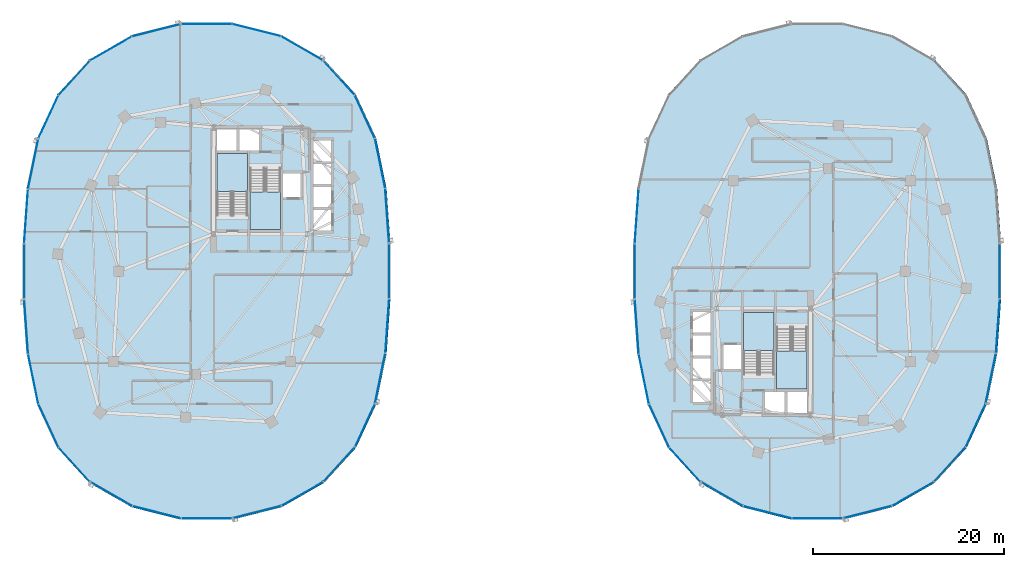
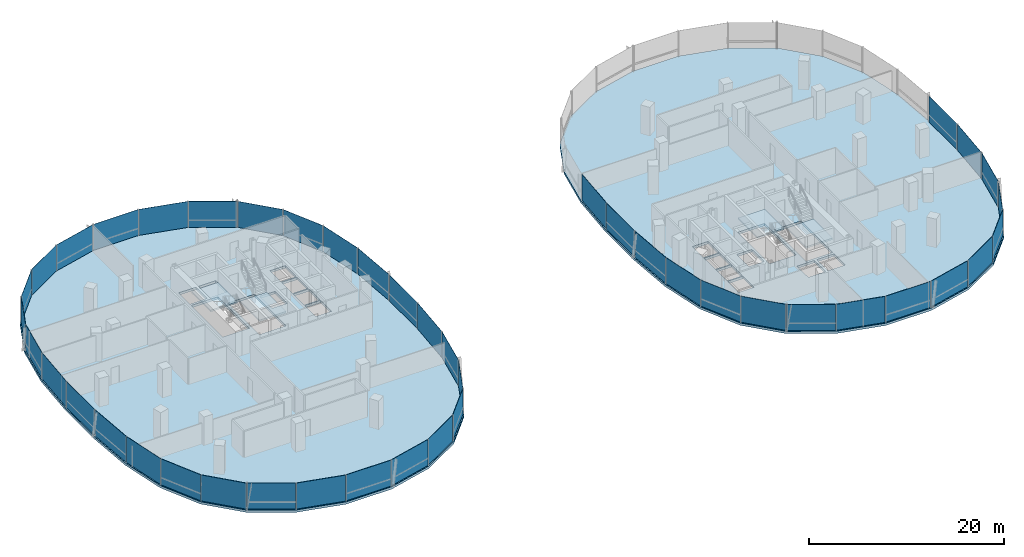
# One storey, part 9 of 21: 44 plates, 6 slabs, 11 elements without a shape of their own.
"""IFC4 building model written with IfcOpenShell, lengths in metres."""

from ifc_helpers import new_model, si_unit, direction, frame, origin, origin_2d, place, context, subcontext, project, spatial, polyline, rectangle, outline, extrude, material, layer, layer_set, type_object, element, aggregate, save


model = new_model("IFC4")

# Units and contexts
model_context = context("Model", 3, precision=1e-05, world=origin(), true_north=direction((0.0, 1.0)))
body_context = subcontext(model_context, "Body", "Model", "MODEL_VIEW")
ifc_project = project(units=[si_unit("LENGTHUNIT", "METRE"), si_unit("AREAUNIT", "SQUARE_METRE"), si_unit("VOLUMEUNIT", "CUBIC_METRE"), si_unit("PLANEANGLEUNIT", "RADIAN"), si_unit("MASSUNIT", "GRAM", prefix="KILO"), si_unit("THERMODYNAMICTEMPERATUREUNIT", "KELVIN"), si_unit("POWERUNIT", "WATT")], contexts=[model_context])

# Site, building, storey
site_placement = place(None, origin())
site = spatial("IfcSite", under=ifc_project, at=site_placement, CompositionType="ELEMENT")
building_placement = place(site_placement, origin())
building = spatial("IfcBuilding", under=site, at=building_placement, Name="Cundina Bronze Exchange", CompositionType="ELEMENT")
storey_placement = place(building_placement, frame((0.0, 0.0, 107.0)))
storey = spatial("IfcBuildingStorey", under=building, at=storey_placement, Name="L27", CompositionType="ELEMENT", Elevation=107.0)

# Curtain wall, plates
ifc_material_1 = material(Name="Anodised Bronze Aluminium 6063-T6", Category="aluminium")
curtain_wall_type = type_object("IfcCurtainWallType", Name="CWS-TRD-MID", PredefinedType="NOTDEFINED", material=ifc_material_1)
curtain_wall_1_placement = place(storey_placement, origin())
curtain_wall_1 = element("IfcCurtainWall", 1, at=curtain_wall_1_placement, inside=storey, type_object=curtain_wall_type, Name="L27 CW-03 Curtain Wall Run CWR-L27-W1", PredefinedType="NOTDEFINED")
ifc_material_2 = material(Name="Heat-Strengthened Solar-Control Bronze Safety Glass 28mm", Category="glass")
ifc_layer_1 = layer(ifc_material_2, 0.028076171875, Name="Heat-Strengthened Solar-Control Bronze Safety Glass 28mm", Category="glass")
ifc_layer_set_1 = layer_set([ifc_layer_1], Name="Heat-Strengthened Solar-Control Bronze Safety Glass 28mm")
plate_type_1 = type_object("IfcPlateType", Name="PLT-GLZ-VIS28", PredefinedType="CURTAIN_PANEL", material=ifc_layer_set_1)
plate_1_placement = place(storey_placement, frame((-13.0732421875, 5.783935546875, 0.02001953125), z_axis=(0.0, 0.0, 1.0), x_axis=(-0.070278787473, 0.997527389113, 0.0)))
plate_1 = element("IfcPlate", 2, at=plate_1_placement, type_object=plate_type_1, Name="CW-03 Glazed Panel 1", PredefinedType="CURTAIN_PANEL", context=body_context, shape_type="SweptSolid", body=[
    extrude(rectangle(XDim=5.644287109375, YDim=0.028076171875, at=origin_2d()), origin(), (0.0, 0.0, 1.0), 3.260009765625),
])
plate_2_placement = place(storey_placement, frame((-13.81591796875, 11.269775390625, 0.02001953125), z_axis=(0.0, 0.0, 1.0), x_axis=(-0.201419845156, 0.979505000486, 0.0)))
plate_2 = element("IfcPlate", 3, at=plate_2_placement, type_object=plate_type_1, Name="CW-03 Glazed Panel 2", PredefinedType="CURTAIN_PANEL", context=body_context, shape_type="SweptSolid", body=[
    extrude(rectangle(XDim=5.306640625, YDim=0.028076171875, at=origin_2d()), origin(), (0.0, 0.0, 1.0), 3.260009765625),
])
plate_3_placement = place(storey_placement, frame((-18.1259765625, 20.267333984375, 0.02001953125), z_axis=(0.0, 0.0, 1.0), x_axis=(-0.674276610219, 0.73847887777, 0.0)))
plate_3 = element("IfcPlate", 4, at=plate_3_placement, type_object=plate_type_1, Name="CW-03 Glazed Panel 4", PredefinedType="CURTAIN_PANEL", context=body_context, shape_type="SweptSolid", body=[
    extrude(rectangle(XDim=4.86328125, YDim=0.028076171875, at=origin_2d()), origin(), (0.0, 0.0, 1.0), 3.260009765625),
])
plate_4_placement = place(storey_placement, frame((-21.980712890625, 23.34423828125, 0.02001953125), z_axis=(0.0, 0.0, 1.0), x_axis=(-0.867105478933, 0.498124571171, 0.0)))
plate_4 = element("IfcPlate", 5, at=plate_4_placement, type_object=plate_type_1, Name="CW-03 Glazed Panel 5", PredefinedType="CURTAIN_PANEL", context=body_context, shape_type="SweptSolid", body=[
    extrude(rectangle(XDim=5.021240234375, YDim=0.028076171875, at=origin_2d()), origin(), (0.0, 0.0, 1.0), 3.260009765625),
])
plate_5_placement = place(storey_placement, frame((-26.744384765625, 25.256591796875, 0.02001953125), z_axis=(0.0, 0.0, 1.0), x_axis=(-0.969488149345, 0.245138182011, 0.0)))
plate_5 = element("IfcPlate", 6, at=plate_5_placement, type_object=plate_type_1, Name="CW-03 Glazed Panel 6", PredefinedType="CURTAIN_PANEL", context=body_context, shape_type="SweptSolid", body=[
    extrude(rectangle(XDim=5.2333984375, YDim=0.028076171875, at=origin_2d()), origin(), (0.0, 0.0, 1.0), 3.260009765625),
])
plate_6_placement = place(storey_placement, frame((-32.0, 25.905029296875, 0.02001953125), z_axis=(0.0, 0.0, 1.0), x_axis=(-1.0, 0.0, 0.0)))
plate_6 = element("IfcPlate", 7, at=plate_6_placement, type_object=plate_type_1, Name="CW-03 Glazed Panel 7", PredefinedType="CURTAIN_PANEL", context=body_context, shape_type="SweptSolid", body=[
    extrude(rectangle(XDim=5.323974609375, YDim=0.028076171875, at=origin_2d()), origin(), (0.0, 0.0, 1.0), 3.260009765625),
])

curtain_wall_2_placement = place(storey_placement, origin())
curtain_wall_2 = element("IfcCurtainWall", 8, at=curtain_wall_2_placement, inside=storey, type_object=curtain_wall_type, Name="L27 CW-03 Curtain Wall Run CWR-L27-W2", PredefinedType="NOTDEFINED")
plate_7_placement = place(storey_placement, frame((-37.255615234375, 25.256591796875, 0.02001953125), z_axis=(0.0, 0.0, 1.0), x_axis=(-0.969488149345, -0.245138182011, 0.0)))
plate_7 = element("IfcPlate", 9, at=plate_7_placement, type_object=plate_type_1, Name="CW-03 Glazed Panel 1", PredefinedType="CURTAIN_PANEL", context=body_context, shape_type="SweptSolid", body=[
    extrude(rectangle(XDim=5.2333984375, YDim=0.028076171875, at=origin_2d()), origin(), (0.0, 0.0, 1.0), 3.260009765625),
])
plate_8_placement = place(storey_placement, frame((-45.8740234375, 20.267333984375, 0.02001953125), z_axis=(0.0, 0.0, 1.0), x_axis=(-0.674276610219, -0.73847887777, 0.0)))
plate_8 = element("IfcPlate", 10, at=plate_8_placement, type_object=plate_type_1, Name="CW-03 Glazed Panel 3", PredefinedType="CURTAIN_PANEL", context=body_context, shape_type="SweptSolid", body=[
    extrude(rectangle(XDim=4.86328125, YDim=0.028076171875, at=origin_2d()), origin(), (0.0, 0.0, 1.0), 3.260009765625),
])
plate_9_placement = place(storey_placement, frame((-48.586181640625, 16.177734375, 0.02001953125), z_axis=(0.0, 0.0, 1.0), x_axis=(-0.42084583328, -0.907132175932, 0.0)))
plate_9 = element("IfcPlate", 11, at=plate_9_placement, type_object=plate_type_1, Name="CW-03 Glazed Panel 4", PredefinedType="CURTAIN_PANEL", context=body_context, shape_type="SweptSolid", body=[
    extrude(rectangle(XDim=4.966552734375, YDim=0.028076171875, at=origin_2d()), origin(), (0.0, 0.0, 1.0), 3.260009765625),
])
plate_10_placement = place(storey_placement, frame((-50.18408203125, 11.269775390625, 0.02001953125), z_axis=(0.0, 0.0, 1.0), x_axis=(-0.201419845156, -0.979505000486, 0.0)))
plate_10 = element("IfcPlate", 12, at=plate_10_placement, type_object=plate_type_1, Name="CW-03 Glazed Panel 5", PredefinedType="CURTAIN_PANEL", context=body_context, shape_type="SweptSolid", body=[
    extrude(rectangle(XDim=5.306640625, YDim=0.028076171875, at=origin_2d()), origin(), (0.0, 0.0, 1.0), 3.260009765625),
])
plate_11_placement = place(storey_placement, frame((-50.9267578125, 5.783935546875, 0.02001953125), z_axis=(0.0, 0.0, 1.0), x_axis=(-0.070278787473, -0.997527389113, 0.0)))
plate_11 = element("IfcPlate", 13, at=plate_11_placement, type_object=plate_type_1, Name="CW-03 Glazed Panel 6", PredefinedType="CURTAIN_PANEL", context=body_context, shape_type="SweptSolid", body=[
    extrude(rectangle(XDim=5.644287109375, YDim=0.028076171875, at=origin_2d()), origin(), (0.0, 0.0, 1.0), 3.260009765625),
])

curtain_wall_3_placement = place(storey_placement, origin())
curtain_wall_3 = element("IfcCurtainWall", 14, at=curtain_wall_3_placement, inside=storey, type_object=curtain_wall_type, Name="L27 CW-03 Curtain Wall Run CWR-L27-W3", PredefinedType="NOTDEFINED")
plate_12_placement = place(storey_placement, frame((-50.18408203125, -11.269775390625, 0.02001953125), z_axis=(0.0, 0.0, 1.0), x_axis=(0.201419845156, -0.979505000486, 0.0)))
plate_12 = element("IfcPlate", 15, at=plate_12_placement, type_object=plate_type_1, Name="CW-03 Glazed Panel 2", PredefinedType="CURTAIN_PANEL", context=body_context, shape_type="SweptSolid", body=[
    extrude(rectangle(XDim=5.306640625, YDim=0.028076171875, at=origin_2d()), origin(), (0.0, 0.0, 1.0), 3.260009765625),
])
plate_13_placement = place(storey_placement, frame((-48.586181640625, -16.177734375, 0.02001953125), z_axis=(0.0, 0.0, 1.0), x_axis=(0.42084583328, -0.907132175932, 0.0)))
plate_13 = element("IfcPlate", 16, at=plate_13_placement, type_object=plate_type_1, Name="CW-03 Glazed Panel 3", PredefinedType="CURTAIN_PANEL", context=body_context, shape_type="SweptSolid", body=[
    extrude(rectangle(XDim=4.966552734375, YDim=0.028076171875, at=origin_2d()), origin(), (0.0, 0.0, 1.0), 3.260009765625),
])
plate_14_placement = place(storey_placement, frame((-45.8740234375, -20.267333984375, 0.02001953125), z_axis=(0.0, 0.0, 1.0), x_axis=(0.674276610219, -0.73847887777, 0.0)))
plate_14 = element("IfcPlate", 17, at=plate_14_placement, type_object=plate_type_1, Name="CW-03 Glazed Panel 4", PredefinedType="CURTAIN_PANEL", context=body_context, shape_type="SweptSolid", body=[
    extrude(rectangle(XDim=4.86328125, YDim=0.028076171875, at=origin_2d()), origin(), (0.0, 0.0, 1.0), 3.260009765625),
])
plate_15_placement = place(storey_placement, frame((-42.019287109375, -23.34423828125, 0.02001953125), z_axis=(0.0, 0.0, 1.0), x_axis=(0.867105478933, -0.498124571171, 0.0)))
plate_15 = element("IfcPlate", 18, at=plate_15_placement, type_object=plate_type_1, Name="CW-03 Glazed Panel 5", PredefinedType="CURTAIN_PANEL", context=body_context, shape_type="SweptSolid", body=[
    extrude(rectangle(XDim=5.021240234375, YDim=0.028076171875, at=origin_2d()), origin(), (0.0, 0.0, 1.0), 3.260009765625),
])
plate_16_placement = place(storey_placement, frame((-32.0, -25.905029296875, 0.02001953125), z_axis=(0.0, 0.0, 1.0), x_axis=(1.0, 0.0, 0.0)))
plate_16 = element("IfcPlate", 19, at=plate_16_placement, type_object=plate_type_1, Name="CW-03 Glazed Panel 7", PredefinedType="CURTAIN_PANEL", context=body_context, shape_type="SweptSolid", body=[
    extrude(rectangle(XDim=5.323974609375, YDim=0.028076171875, at=origin_2d()), origin(), (0.0, 0.0, 1.0), 3.260009765625),
])

curtain_wall_4_placement = place(storey_placement, origin())
curtain_wall_4 = element("IfcCurtainWall", 20, at=curtain_wall_4_placement, inside=storey, type_object=curtain_wall_type, Name="L27 CW-03 Curtain Wall Run CWR-L27-W4", PredefinedType="NOTDEFINED")
plate_17_placement = place(storey_placement, frame((-26.744384765625, -25.256591796875, 0.02001953125), z_axis=(0.0, 0.0, 1.0), x_axis=(0.969488149345, 0.245138182011, 0.0)))
plate_17 = element("IfcPlate", 21, at=plate_17_placement, type_object=plate_type_1, Name="CW-03 Glazed Panel 1", PredefinedType="CURTAIN_PANEL", context=body_context, shape_type="SweptSolid", body=[
    extrude(rectangle(XDim=5.2333984375, YDim=0.028076171875, at=origin_2d()), origin(), (0.0, 0.0, 1.0), 3.260009765625),
])
plate_18_placement = place(storey_placement, frame((-21.980712890625, -23.34423828125, 0.02001953125), z_axis=(0.0, 0.0, 1.0), x_axis=(0.867105478933, 0.498124571171, 0.0)))
plate_18 = element("IfcPlate", 22, at=plate_18_placement, type_object=plate_type_1, Name="CW-03 Glazed Panel 2", PredefinedType="CURTAIN_PANEL", context=body_context, shape_type="SweptSolid", body=[
    extrude(rectangle(XDim=5.021240234375, YDim=0.028076171875, at=origin_2d()), origin(), (0.0, 0.0, 1.0), 3.260009765625),
])
plate_19_placement = place(storey_placement, frame((-18.1259765625, -20.267333984375, 0.02001953125), z_axis=(0.0, 0.0, 1.0), x_axis=(0.674276610219, 0.73847887777, 0.0)))
plate_19 = element("IfcPlate", 23, at=plate_19_placement, type_object=plate_type_1, Name="CW-03 Glazed Panel 3", PredefinedType="CURTAIN_PANEL", context=body_context, shape_type="SweptSolid", body=[
    extrude(rectangle(XDim=4.86328125, YDim=0.028076171875, at=origin_2d()), origin(), (0.0, 0.0, 1.0), 3.260009765625),
])
plate_20_placement = place(storey_placement, frame((-15.413818359375, -16.177734375, 0.02001953125), z_axis=(0.0, 0.0, 1.0), x_axis=(0.42084583328, 0.907132175932, 0.0)))
plate_20 = element("IfcPlate", 24, at=plate_20_placement, type_object=plate_type_1, Name="CW-03 Glazed Panel 4", PredefinedType="CURTAIN_PANEL", context=body_context, shape_type="SweptSolid", body=[
    extrude(rectangle(XDim=4.966552734375, YDim=0.028076171875, at=origin_2d()), origin(), (0.0, 0.0, 1.0), 3.260009765625),
])
plate_21_placement = place(storey_placement, frame((-13.0732421875, -5.783935546875, 0.02001953125), z_axis=(0.0, 0.0, 1.0), x_axis=(0.070278787473, 0.997527389113, 0.0)))
plate_21 = element("IfcPlate", 25, at=plate_21_placement, type_object=plate_type_1, Name="CW-03 Glazed Panel 6", PredefinedType="CURTAIN_PANEL", context=body_context, shape_type="SweptSolid", body=[
    extrude(rectangle(XDim=5.644287109375, YDim=0.028076171875, at=origin_2d()), origin(), (0.0, 0.0, 1.0), 3.260009765625),
])
plate_22_placement = place(storey_placement, frame((-12.8720703125, 0.0, 0.02001953125), z_axis=(0.0, 0.0, 1.0), x_axis=(0.0, 1.0, 0.0)))
plate_22 = element("IfcPlate", 26, at=plate_22_placement, type_object=plate_type_1, Name="CW-03 Glazed Panel 7", PredefinedType="CURTAIN_PANEL", context=body_context, shape_type="SweptSolid", body=[
    extrude(rectangle(XDim=5.77587890625, YDim=0.028076171875, at=origin_2d()), origin(), (0.0, 0.0, 1.0), 3.260009765625),
])

# Curtain wall, plate
curtain_wall_5_placement = place(storey_placement, origin())
curtain_wall_5 = element("IfcCurtainWall", 27, at=curtain_wall_5_placement, inside=storey, type_object=curtain_wall_type, Name="L27 CW-03 Curtain Wall Run CWR-L27-E2", PredefinedType="NOTDEFINED")
plate_23_placement = place(storey_placement, frame((13.0732421875, 5.783935546875, 0.02001953125), z_axis=(0.0, 0.0, 1.0), x_axis=(-0.070278787473, -0.997527389113, 0.0)))
plate_23 = element("IfcPlate", 28, at=plate_23_placement, type_object=plate_type_1, Name="CW-03 Glazed Panel 6", PredefinedType="CURTAIN_PANEL", context=body_context, shape_type="SweptSolid", body=[
    extrude(rectangle(XDim=5.644287109375, YDim=0.028076171875, at=origin_2d()), origin(), (0.0, 0.0, 1.0), 3.260009765625),
])

# Curtain wall, plates
curtain_wall_6_placement = place(storey_placement, origin())
curtain_wall_6 = element("IfcCurtainWall", 29, at=curtain_wall_6_placement, inside=storey, type_object=curtain_wall_type, Name="L27 CW-03 Curtain Wall Run CWR-L27-E3", PredefinedType="NOTDEFINED")
plate_24_placement = place(storey_placement, frame((13.81591796875, -11.269775390625, 0.02001953125), z_axis=(0.0, 0.0, 1.0), x_axis=(0.201419845156, -0.979505000486, 0.0)))
plate_24 = element("IfcPlate", 30, at=plate_24_placement, type_object=plate_type_1, Name="CW-03 Glazed Panel 2", PredefinedType="CURTAIN_PANEL", context=body_context, shape_type="SweptSolid", body=[
    extrude(rectangle(XDim=5.306640625, YDim=0.028076171875, at=origin_2d()), origin(), (0.0, 0.0, 1.0), 3.260009765625),
])
plate_25_placement = place(storey_placement, frame((15.413818359375, -16.177734375, 0.02001953125), z_axis=(0.0, 0.0, 1.0), x_axis=(0.42084583328, -0.907132175932, 0.0)))
plate_25 = element("IfcPlate", 31, at=plate_25_placement, type_object=plate_type_1, Name="CW-03 Glazed Panel 3", PredefinedType="CURTAIN_PANEL", context=body_context, shape_type="SweptSolid", body=[
    extrude(rectangle(XDim=4.966552734375, YDim=0.028076171875, at=origin_2d()), origin(), (0.0, 0.0, 1.0), 3.260009765625),
])
plate_26_placement = place(storey_placement, frame((18.1259765625, -20.267333984375, 0.02001953125), z_axis=(0.0, 0.0, 1.0), x_axis=(0.674276610219, -0.73847887777, 0.0)))
plate_26 = element("IfcPlate", 32, at=plate_26_placement, type_object=plate_type_1, Name="CW-03 Glazed Panel 4", PredefinedType="CURTAIN_PANEL", context=body_context, shape_type="SweptSolid", body=[
    extrude(rectangle(XDim=4.86328125, YDim=0.028076171875, at=origin_2d()), origin(), (0.0, 0.0, 1.0), 3.260009765625),
])
plate_27_placement = place(storey_placement, frame((21.980712890625, -23.34423828125, 0.02001953125), z_axis=(0.0, 0.0, 1.0), x_axis=(0.867105478933, -0.498124571171, 0.0)))
plate_27 = element("IfcPlate", 33, at=plate_27_placement, type_object=plate_type_1, Name="CW-03 Glazed Panel 5", PredefinedType="CURTAIN_PANEL", context=body_context, shape_type="SweptSolid", body=[
    extrude(rectangle(XDim=5.021240234375, YDim=0.028076171875, at=origin_2d()), origin(), (0.0, 0.0, 1.0), 3.260009765625),
])
plate_28_placement = place(storey_placement, frame((32.0, -25.905029296875, 0.02001953125), z_axis=(0.0, 0.0, 1.0), x_axis=(1.0, 0.0, 0.0)))
plate_28 = element("IfcPlate", 34, at=plate_28_placement, type_object=plate_type_1, Name="CW-03 Glazed Panel 7", PredefinedType="CURTAIN_PANEL", context=body_context, shape_type="SweptSolid", body=[
    extrude(rectangle(XDim=5.323974609375, YDim=0.028076171875, at=origin_2d()), origin(), (0.0, 0.0, 1.0), 3.260009765625),
])

curtain_wall_7_placement = place(storey_placement, origin())
curtain_wall_7 = element("IfcCurtainWall", 35, at=curtain_wall_7_placement, inside=storey, type_object=curtain_wall_type, Name="L27 CW-03 Curtain Wall Run CWR-L27-E4", PredefinedType="NOTDEFINED")
plate_29_placement = place(storey_placement, frame((37.255615234375, -25.256591796875, 0.02001953125), z_axis=(0.0, 0.0, 1.0), x_axis=(0.969488149345, 0.245138182011, 0.0)))
plate_29 = element("IfcPlate", 36, at=plate_29_placement, type_object=plate_type_1, Name="CW-03 Glazed Panel 1", PredefinedType="CURTAIN_PANEL", context=body_context, shape_type="SweptSolid", body=[
    extrude(rectangle(XDim=5.2333984375, YDim=0.028076171875, at=origin_2d()), origin(), (0.0, 0.0, 1.0), 3.260009765625),
])
plate_30_placement = place(storey_placement, frame((42.019287109375, -23.34423828125, 0.02001953125), z_axis=(0.0, 0.0, 1.0), x_axis=(0.867105478933, 0.498124571171, 0.0)))
plate_30 = element("IfcPlate", 37, at=plate_30_placement, type_object=plate_type_1, Name="CW-03 Glazed Panel 2", PredefinedType="CURTAIN_PANEL", context=body_context, shape_type="SweptSolid", body=[
    extrude(rectangle(XDim=5.021240234375, YDim=0.028076171875, at=origin_2d()), origin(), (0.0, 0.0, 1.0), 3.260009765625),
])
plate_31_placement = place(storey_placement, frame((45.8740234375, -20.267333984375, 0.02001953125), z_axis=(0.0, 0.0, 1.0), x_axis=(0.674276610219, 0.73847887777, 0.0)))
plate_31 = element("IfcPlate", 38, at=plate_31_placement, type_object=plate_type_1, Name="CW-03 Glazed Panel 3", PredefinedType="CURTAIN_PANEL", context=body_context, shape_type="SweptSolid", body=[
    extrude(rectangle(XDim=4.86328125, YDim=0.028076171875, at=origin_2d()), origin(), (0.0, 0.0, 1.0), 3.260009765625),
])
plate_32_placement = place(storey_placement, frame((48.586181640625, -16.177734375, 0.02001953125), z_axis=(0.0, 0.0, 1.0), x_axis=(0.42084583328, 0.907132175932, 0.0)))
plate_32 = element("IfcPlate", 39, at=plate_32_placement, type_object=plate_type_1, Name="CW-03 Glazed Panel 4", PredefinedType="CURTAIN_PANEL", context=body_context, shape_type="SweptSolid", body=[
    extrude(rectangle(XDim=4.966552734375, YDim=0.028076171875, at=origin_2d()), origin(), (0.0, 0.0, 1.0), 3.260009765625),
])
plate_33_placement = place(storey_placement, frame((50.9267578125, -5.783935546875, 0.02001953125), z_axis=(0.0, 0.0, 1.0), x_axis=(0.070278787473, 0.997527389113, 0.0)))
plate_33 = element("IfcPlate", 40, at=plate_33_placement, type_object=plate_type_1, Name="CW-03 Glazed Panel 6", PredefinedType="CURTAIN_PANEL", context=body_context, shape_type="SweptSolid", body=[
    extrude(rectangle(XDim=5.644287109375, YDim=0.028076171875, at=origin_2d()), origin(), (0.0, 0.0, 1.0), 3.260009765625),
])
plate_34_placement = place(storey_placement, frame((51.1279296875, 0.0, 0.02001953125), z_axis=(0.0, 0.0, 1.0), x_axis=(0.0, 1.0, 0.0)))
plate_34 = element("IfcPlate", 41, at=plate_34_placement, type_object=plate_type_1, Name="CW-03 Glazed Panel 7", PredefinedType="CURTAIN_PANEL", context=body_context, shape_type="SweptSolid", body=[
    extrude(rectangle(XDim=5.77587890625, YDim=0.028076171875, at=origin_2d()), origin(), (0.0, 0.0, 1.0), 3.260009765625),
])

# Plate
ifc_material_3 = material(Name="Dark Bronze Spandrel Glass Panel 32mm", Category="glass")
ifc_layer_2 = layer(ifc_material_3, 0.031982421875, Name="Dark Bronze Spandrel Glass Panel 32mm", Category="glass")
ifc_layer_set_2 = layer_set([ifc_layer_2], Name="Dark Bronze Spandrel Glass Panel 32mm")
plate_type_2 = type_object("IfcPlateType", Name="PLT-SPN-BRZ32", PredefinedType="CURTAIN_PANEL", material=ifc_layer_set_2)
plate_35_placement = place(storey_placement, frame((-15.413818359375, 16.177734375, 0.02001953125), z_axis=(0.0, 0.0, 1.0), x_axis=(-0.42084583328, 0.907132175932, 0.0)))
plate_35 = element("IfcPlate", 42, at=plate_35_placement, type_object=plate_type_2, Name="CW-03 Glazed Panel 3", PredefinedType="CURTAIN_PANEL", context=body_context, shape_type="SweptSolid", body=[
    extrude(rectangle(XDim=4.966552734375, YDim=0.031982421875, at=origin_2d()), origin(), (0.0, 0.0, 1.0), 3.260009765625),
])

aggregate(curtain_wall_1, [plate_1, plate_2, plate_35, plate_3, plate_4, plate_5, plate_6])

plate_36_placement = place(storey_placement, frame((-42.019287109375, 23.34423828125, 0.02001953125), z_axis=(0.0, 0.0, 1.0), x_axis=(-0.867105478933, -0.498124571171, 0.0)))
plate_36 = element("IfcPlate", 43, at=plate_36_placement, type_object=plate_type_2, Name="CW-03 Glazed Panel 2", PredefinedType="CURTAIN_PANEL", context=body_context, shape_type="SweptSolid", body=[
    extrude(rectangle(XDim=5.021240234375, YDim=0.031982421875, at=origin_2d()), origin(), (0.0, 0.0, 1.0), 3.260009765625),
])

plate_37_placement = place(storey_placement, frame((-51.1279296875, 0.0, 0.02001953125), z_axis=(0.0, 0.0, 1.0), x_axis=(0.0, -1.0, 0.0)))
plate_37 = element("IfcPlate", 44, at=plate_37_placement, type_object=plate_type_2, Name="CW-03 Glazed Panel 7", PredefinedType="CURTAIN_PANEL", context=body_context, shape_type="SweptSolid", body=[
    extrude(rectangle(XDim=5.77587890625, YDim=0.031982421875, at=origin_2d()), origin(), (0.0, 0.0, 1.0), 3.260009765625),
])

aggregate(curtain_wall_2, [plate_7, plate_36, plate_8, plate_9, plate_10, plate_11, plate_37])

plate_38_placement = place(storey_placement, frame((-50.9267578125, -5.783935546875, 0.02001953125), z_axis=(0.0, 0.0, 1.0), x_axis=(0.070278787473, -0.997527389113, 0.0)))
plate_38 = element("IfcPlate", 45, at=plate_38_placement, type_object=plate_type_2, Name="CW-03 Glazed Panel 1", PredefinedType="CURTAIN_PANEL", context=body_context, shape_type="SweptSolid", body=[
    extrude(rectangle(XDim=5.644287109375, YDim=0.031982421875, at=origin_2d()), origin(), (0.0, 0.0, 1.0), 3.260009765625),
])

plate_39_placement = place(storey_placement, frame((-37.255615234375, -25.256591796875, 0.02001953125), z_axis=(0.0, 0.0, 1.0), x_axis=(0.969488149345, -0.245138182011, 0.0)))
plate_39 = element("IfcPlate", 46, at=plate_39_placement, type_object=plate_type_2, Name="CW-03 Glazed Panel 6", PredefinedType="CURTAIN_PANEL", context=body_context, shape_type="SweptSolid", body=[
    extrude(rectangle(XDim=5.2333984375, YDim=0.031982421875, at=origin_2d()), origin(), (0.0, 0.0, 1.0), 3.260009765625),
])

aggregate(curtain_wall_3, [plate_38, plate_12, plate_13, plate_14, plate_15, plate_39, plate_16])

plate_40_placement = place(storey_placement, frame((-13.81591796875, -11.269775390625, 0.02001953125), z_axis=(0.0, 0.0, 1.0), x_axis=(0.201419845156, 0.979505000486, 0.0)))
plate_40 = element("IfcPlate", 47, at=plate_40_placement, type_object=plate_type_2, Name="CW-03 Glazed Panel 5", PredefinedType="CURTAIN_PANEL", context=body_context, shape_type="SweptSolid", body=[
    extrude(rectangle(XDim=5.306640625, YDim=0.031982421875, at=origin_2d()), origin(), (0.0, 0.0, 1.0), 3.260009765625),
])

aggregate(curtain_wall_4, [plate_17, plate_18, plate_19, plate_20, plate_40, plate_21, plate_22])

plate_41_placement = place(storey_placement, frame((12.8720703125, 0.0, 0.02001953125), z_axis=(0.0, 0.0, 1.0), x_axis=(0.0, -1.0, 0.0)))
plate_41 = element("IfcPlate", 48, at=plate_41_placement, type_object=plate_type_2, Name="CW-03 Glazed Panel 7", PredefinedType="CURTAIN_PANEL", context=body_context, shape_type="SweptSolid", body=[
    extrude(rectangle(XDim=5.77587890625, YDim=0.031982421875, at=origin_2d()), origin(), (0.0, 0.0, 1.0), 3.260009765625),
])

aggregate(curtain_wall_5, [plate_23, plate_41])

plate_42_placement = place(storey_placement, frame((13.0732421875, -5.783935546875, 0.02001953125), z_axis=(0.0, 0.0, 1.0), x_axis=(0.070278787473, -0.997527389113, 0.0)))
plate_42 = element("IfcPlate", 49, at=plate_42_placement, type_object=plate_type_2, Name="CW-03 Glazed Panel 1", PredefinedType="CURTAIN_PANEL", context=body_context, shape_type="SweptSolid", body=[
    extrude(rectangle(XDim=5.644287109375, YDim=0.031982421875, at=origin_2d()), origin(), (0.0, 0.0, 1.0), 3.260009765625),
])

plate_43_placement = place(storey_placement, frame((26.744384765625, -25.256591796875, 0.02001953125), z_axis=(0.0, 0.0, 1.0), x_axis=(0.969488149345, -0.245138182011, 0.0)))
plate_43 = element("IfcPlate", 50, at=plate_43_placement, type_object=plate_type_2, Name="CW-03 Glazed Panel 6", PredefinedType="CURTAIN_PANEL", context=body_context, shape_type="SweptSolid", body=[
    extrude(rectangle(XDim=5.2333984375, YDim=0.031982421875, at=origin_2d()), origin(), (0.0, 0.0, 1.0), 3.260009765625),
])

aggregate(curtain_wall_6, [plate_42, plate_24, plate_25, plate_26, plate_27, plate_43, plate_28])

plate_44_placement = place(storey_placement, frame((50.18408203125, -11.269775390625, 0.02001953125), z_axis=(0.0, 0.0, 1.0), x_axis=(0.201419845156, 0.979505000486, 0.0)))
plate_44 = element("IfcPlate", 51, at=plate_44_placement, type_object=plate_type_2, Name="CW-03 Glazed Panel 5", PredefinedType="CURTAIN_PANEL", context=body_context, shape_type="SweptSolid", body=[
    extrude(rectangle(XDim=5.306640625, YDim=0.031982421875, at=origin_2d()), origin(), (0.0, 0.0, 1.0), 3.260009765625),
])

aggregate(curtain_wall_7, [plate_29, plate_30, plate_31, plate_32, plate_44, plate_33, plate_34])

# Stair, slab
ifc_material_4 = material(Name="Concrete C40/50", Category="concrete")
stair_type = type_object("IfcStairType", Name="STR-OFF-360", PredefinedType="HALF_TURN_STAIR", material=ifc_material_4)
stair_1_placement = place(storey_placement, origin())
stair_1 = element("IfcStair", 52, at=stair_1_placement, inside=storey, type_object=stair_type, Name="L27 Smokeproof Exit Stair W1", PredefinedType="HALF_TURN_STAIR")
ifc_layer_3 = layer(ifc_material_4, 0.199951171875, Name="Concrete C40/50", Category="concrete")
ifc_layer_set_3 = layer_set([ifc_layer_3], Name="Concrete C40/50")
slab_type_1 = type_object("IfcSlabType", Name="SLB-LND-200", PredefinedType="LANDING", material=ifc_layer_set_3)
slab_1_placement = place(storey_placement, frame((0.0, 0.0, 1.60009765625)))
slab_1 = element("IfcSlab", 53, at=slab_1_placement, type_object=slab_type_1, Name="ST-W1 landing 1", PredefinedType="LANDING", context=body_context, shape_type="SweptSolid", body=[
    extrude(outline(polyline([(-27.739990234375, 8.3701171875), (-27.739990234375, 12.35009765625), (-30.89990234375, 12.35009765625), (-30.89990234375, 8.3701171875), (-27.739990234375, 8.3701171875)])), origin(), (0.0, 0.0, 1.0), 0.199951171875),
])
aggregate(stair_1, [slab_1])

stair_2_placement = place(storey_placement, origin())
stair_2 = element("IfcStair", 54, at=stair_2_placement, inside=storey, type_object=stair_type, Name="L27 Smokeproof Exit Stair W2", PredefinedType="HALF_TURN_STAIR")
slab_2_placement = place(storey_placement, frame((0.0, 0.0, 1.60009765625)))
slab_2 = element("IfcSlab", 55, at=slab_2_placement, type_object=slab_type_1, Name="ST-W2 landing 1", PredefinedType="LANDING", context=body_context, shape_type="SweptSolid", body=[
    extrude(outline(polyline([(-27.43994140625, 8.330078125), (-27.43994140625, 4.35009765625), (-24.280029296875, 4.35009765625), (-24.280029296875, 8.330078125), (-27.43994140625, 8.330078125)])), origin(), (0.0, 0.0, 1.0), 0.199951171875),
])
aggregate(stair_2, [slab_2])

stair_3_placement = place(storey_placement, origin())
stair_3 = element("IfcStair", 56, at=stair_3_placement, inside=storey, type_object=stair_type, Name="L27 Smokeproof Exit Stair E1", PredefinedType="HALF_TURN_STAIR")
slab_3_placement = place(storey_placement, frame((0.0, 0.0, 1.60009765625)))
slab_3 = element("IfcSlab", 57, at=slab_3_placement, type_object=slab_type_1, Name="ST-E1 landing 1", PredefinedType="LANDING", context=body_context, shape_type="SweptSolid", body=[
    extrude(outline(polyline([(27.739990234375, -8.3701171875), (27.739990234375, -12.35009765625), (30.89990234375, -12.35009765625), (30.89990234375, -8.3701171875), (27.739990234375, -8.3701171875)])), origin(), (0.0, 0.0, 1.0), 0.199951171875),
])
aggregate(stair_3, [slab_3])

stair_4_placement = place(storey_placement, origin())
stair_4 = element("IfcStair", 58, at=stair_4_placement, inside=storey, type_object=stair_type, Name="L27 Smokeproof Exit Stair E2", PredefinedType="HALF_TURN_STAIR")
slab_4_placement = place(storey_placement, frame((0.0, 0.0, 1.60009765625)))
slab_4 = element("IfcSlab", 59, at=slab_4_placement, type_object=slab_type_1, Name="ST-E2 landing 1", PredefinedType="LANDING", context=body_context, shape_type="SweptSolid", body=[
    extrude(outline(polyline([(27.43994140625, -8.330078125), (27.43994140625, -4.35009765625), (24.280029296875, -4.35009765625), (24.280029296875, -8.330078125), (27.43994140625, -8.330078125)])), origin(), (0.0, 0.0, 1.0), 0.199951171875),
])
aggregate(stair_4, [slab_4])

# Slabs
ifc_material_5 = material(Name="Concrete C50/60", Category="concrete")
ifc_layer_4 = layer(ifc_material_5, 0.300048828125, Name="Concrete C50/60", Category="concrete")
ifc_layer_set_4 = layer_set([ifc_layer_4], Name="Concrete C50/60")
slab_type_2 = type_object("IfcSlabType", Name="SLB-TRD-300", PredefinedType="FLOOR", material=ifc_layer_set_4)
slab_5_placement = place(storey_placement, frame((0.0, 0.0, -0.300048828125)))
element("IfcSlab", 60, at=slab_5_placement, inside=storey, type_object=slab_type_2, Name="L27 Leg W Structural Floor Slab", PredefinedType="FLOOR", context=body_context, shape_type="SweptSolid", body=[
    extrude(outline(polyline([(-12.741943359375, 2.93310546875), (-13.14501953125, 8.653076171875), (-14.23193359375, 13.93896484375), (-16.360107421875, 18.52587890625), (-19.699951171875, 22.18408203125), (-24.132080078125, 24.72998046875), (-29.29296875, 26.034912109375), (-34.70703125, 26.034912109375), (-39.867919921875, 24.72998046875), (-44.300048828125, 22.18408203125), (-47.639892578125, 18.52587890625), (-49.76806640625, 13.93896484375), (-50.85498046875, 8.653076171875), (-51.258056640625, 2.93310546875), (-51.258056640625, -2.93310546875), (-50.85498046875, -8.653076171875), (-49.76806640625, -13.93896484375), (-47.639892578125, -18.52587890625), (-44.300048828125, -22.18408203125), (-39.867919921875, -24.72998046875), (-34.70703125, -26.034912109375), (-29.29296875, -26.034912109375), (-24.132080078125, -24.72998046875), (-19.699951171875, -22.18408203125), (-16.360107421875, -18.52587890625), (-14.23193359375, -13.93896484375), (-13.14501953125, -8.653076171875), (-12.741943359375, -2.93310546875), (-12.741943359375, 2.93310546875)]), holes=[polyline([(-27.739990234375, 5.85009765625), (-27.739990234375, 12.35009765625), (-30.89990234375, 12.35009765625), (-30.89990234375, 5.85009765625), (-27.739990234375, 5.85009765625)]), polyline([(-27.43994140625, 10.85009765625), (-27.43994140625, 4.35009765625), (-24.280029296875, 4.35009765625), (-24.280029296875, 10.85009765625), (-27.43994140625, 10.85009765625)]), polyline([(-23.97998046875, 10.25), (-22.179931640625, 10.25), (-22.179931640625, 7.75), (-23.97998046875, 7.75), (-23.97998046875, 10.25)]), polyline([(-30.89990234375, 14.949951171875), (-28.85009765625, 14.949951171875), (-28.85009765625, 12.64990234375), (-30.89990234375, 12.64990234375), (-30.89990234375, 14.949951171875)]), polyline([(-28.550048828125, 14.949951171875), (-26.5, 14.949951171875), (-26.5, 12.64990234375), (-28.550048828125, 12.64990234375), (-28.550048828125, 14.949951171875)]), polyline([(-20.800048828125, 13.699951171875), (-18.949951171875, 13.699951171875), (-18.949951171875, 11.449951171875), (-20.800048828125, 11.449951171875), (-20.800048828125, 13.699951171875)]), polyline([(-20.800048828125, 11.300048828125), (-18.949951171875, 11.300048828125), (-18.949951171875, 9.050048828125), (-20.800048828125, 9.050048828125), (-20.800048828125, 11.300048828125)]), polyline([(-20.800048828125, 8.89990234375), (-18.949951171875, 8.89990234375), (-18.949951171875, 6.64990234375), (-20.800048828125, 6.64990234375), (-20.800048828125, 8.89990234375)]), polyline([(-20.800048828125, 6.5), (-18.949951171875, 6.5), (-18.949951171875, 4.25), (-20.800048828125, 4.25), (-20.800048828125, 6.5)])]), origin(), (0.0, 0.0, 1.0), 0.300048828125),
])
slab_6_placement = place(storey_placement, frame((0.0, 0.0, -0.300048828125)))
element("IfcSlab", 61, at=slab_6_placement, inside=storey, type_object=slab_type_2, Name="L27 Leg E Structural Floor Slab", PredefinedType="FLOOR", context=body_context, shape_type="SweptSolid", body=[
    extrude(outline(polyline([(51.258056640625, 2.93310546875), (50.85498046875, 8.653076171875), (49.76806640625, 13.93896484375), (47.639892578125, 18.52587890625), (44.300048828125, 22.18408203125), (39.867919921875, 24.72998046875), (34.70703125, 26.034912109375), (29.29296875, 26.034912109375), (24.132080078125, 24.72998046875), (19.699951171875, 22.18408203125), (16.360107421875, 18.52587890625), (14.23193359375, 13.93896484375), (13.14501953125, 8.653076171875), (12.741943359375, 2.93310546875), (12.741943359375, -2.93310546875), (13.14501953125, -8.653076171875), (14.23193359375, -13.93896484375), (16.360107421875, -18.52587890625), (19.699951171875, -22.18408203125), (24.132080078125, -24.72998046875), (29.29296875, -26.034912109375), (34.70703125, -26.034912109375), (39.867919921875, -24.72998046875), (44.300048828125, -22.18408203125), (47.639892578125, -18.52587890625), (49.76806640625, -13.93896484375), (50.85498046875, -8.653076171875), (51.258056640625, -2.93310546875), (51.258056640625, 2.93310546875)]), holes=[polyline([(27.739990234375, -5.85009765625), (27.739990234375, -12.35009765625), (30.89990234375, -12.35009765625), (30.89990234375, -5.85009765625), (27.739990234375, -5.85009765625)]), polyline([(27.43994140625, -10.85009765625), (27.43994140625, -4.35009765625), (24.280029296875, -4.35009765625), (24.280029296875, -10.85009765625), (27.43994140625, -10.85009765625)]), polyline([(22.179931640625, -7.75), (23.97998046875, -7.75), (23.97998046875, -10.25), (22.179931640625, -10.25), (22.179931640625, -7.75)]), polyline([(28.85009765625, -12.64990234375), (30.89990234375, -12.64990234375), (30.89990234375, -14.949951171875), (28.85009765625, -14.949951171875), (28.85009765625, -12.64990234375)]), polyline([(26.5, -12.64990234375), (28.550048828125, -12.64990234375), (28.550048828125, -14.949951171875), (26.5, -14.949951171875), (26.5, -12.64990234375)]), polyline([(18.949951171875, -11.449951171875), (20.800048828125, -11.449951171875), (20.800048828125, -13.699951171875), (18.949951171875, -13.699951171875), (18.949951171875, -11.449951171875)]), polyline([(18.949951171875, -9.050048828125), (20.800048828125, -9.050048828125), (20.800048828125, -11.300048828125), (18.949951171875, -11.300048828125), (18.949951171875, -9.050048828125)]), polyline([(18.949951171875, -6.64990234375), (20.800048828125, -6.64990234375), (20.800048828125, -8.89990234375), (18.949951171875, -8.89990234375), (18.949951171875, -6.64990234375)]), polyline([(18.949951171875, -4.25), (20.800048828125, -4.25), (20.800048828125, -6.5), (18.949951171875, -6.5), (18.949951171875, -4.25)])]), origin(), (0.0, 0.0, 1.0), 0.300048828125),
])

save(model, "model.ifc")
